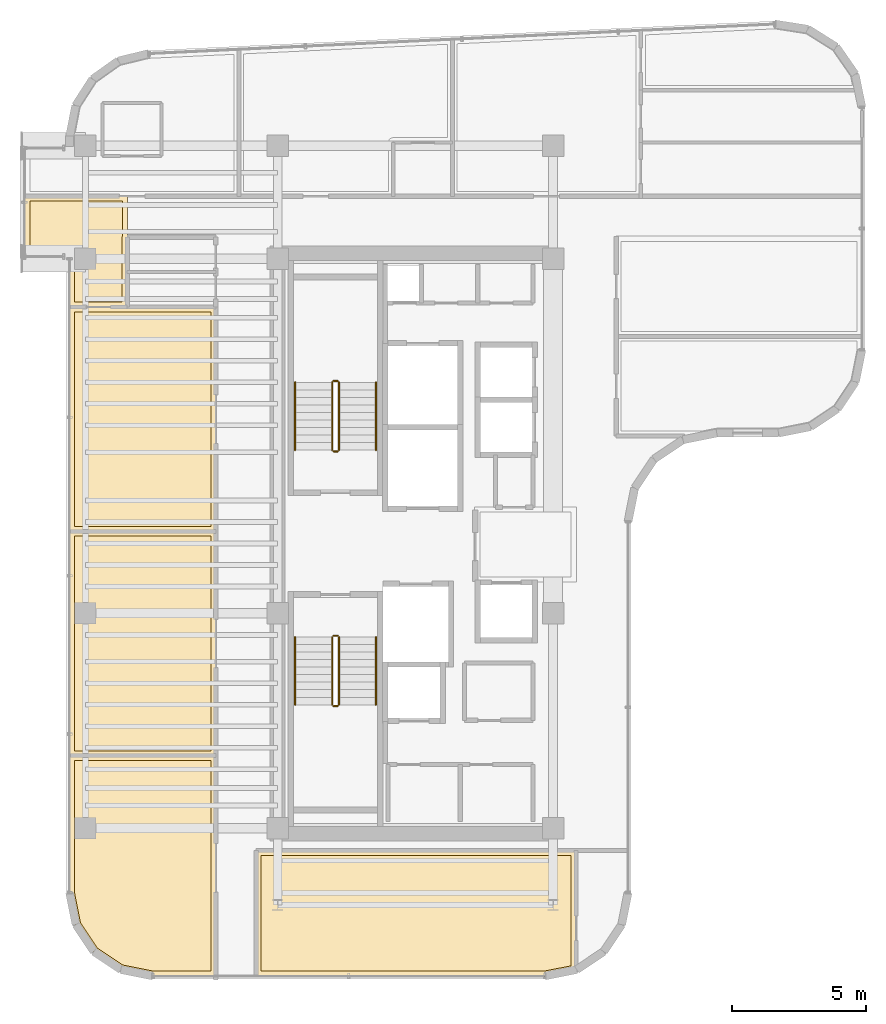
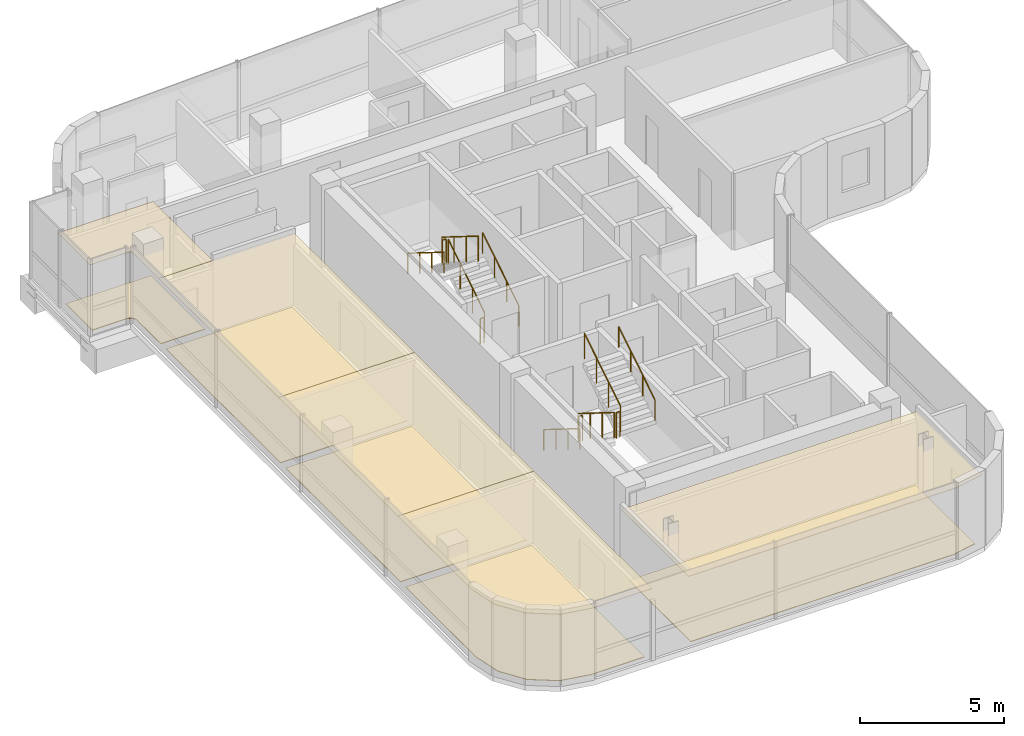
# One storey, part 20 of 21: 12 railings, 10 coverings.
"""IFC4 building model written with IfcOpenShell, lengths in metres."""

from ifc_helpers import new_model, si_unit, direction, frame, origin, origin_2d, place, context, subcontext, project, spatial, polyline, circle, outline, extrude, material, layer, layer_set, type_object, element, save


model = new_model("IFC4")

# Units and contexts
model_context = context("Model", 3, precision=1e-05, world=origin(), true_north=direction((0.0, 1.0)))
body_context = subcontext(model_context, "Body", "Model", "MODEL_VIEW")
ifc_project = project(units=[si_unit("LENGTHUNIT", "METRE"), si_unit("AREAUNIT", "SQUARE_METRE"), si_unit("VOLUMEUNIT", "CUBIC_METRE"), si_unit("PLANEANGLEUNIT", "RADIAN"), si_unit("MASSUNIT", "GRAM", prefix="KILO")], contexts=[model_context])

# Site, building, storey
site_placement = place(None, origin())
site = spatial("IfcSite", under=ifc_project, at=site_placement, CompositionType="ELEMENT")
building_placement = place(site_placement, origin())
building = spatial("IfcBuilding", under=site, at=building_placement, Name="Valdorenza Pilgrim Sanctuary Tower", CompositionType="ELEMENT")
storey_placement = place(building_placement, frame((0.0, 0.0, 251.0)))
storey = spatial("IfcBuildingStorey", under=building, at=storey_placement, Name="L65", CompositionType="ELEMENT", Elevation=251.0)

# Coverings
ifc_material_1 = material(Name="Micro-perforated acoustic mineral ceiling tile", Category="gypsum")
ifc_layer_1 = layer(ifc_material_1, 0.02490234375, Name="Micro-perforated acoustic mineral ceiling tile")
ifc_layer_set_1 = layer_set([ifc_layer_1], Name="Micro-perforated acoustic mineral ceiling tile")
covering_type_1 = type_object("IfcCoveringType", Name="COV-CLG-ACU", PredefinedType="CEILING", material=ifc_layer_set_1)
covering_1_placement = place(storey_placement, frame((0.0, 0.0, 2.9599609375)))
element("IfcCovering", 1, at=covering_1_placement, inside=storey, type_object=covering_type_1, Name="L65 Pilgrim Scholar Office L65-WN Acoustic Ceiling", PredefinedType="CEILING", context=body_context, shape_type="SweptSolid", body=[
    extrude(outline(polyline([(-28.237060546875, 11.39453125), (-28.237060546875, 10.103759765625), (-28.23681640625, 10.10302734375), (-28.23681640625, 10.1015625), (-28.23681640625, 10.10009765625), (-28.23681640625, 10.098388671875), (-28.237060546875, 10.09814453125), (-28.237060546875, 8.800048828125), (-28.237060546875, 8.798583984375), (-28.2373046875, 8.797119140625), (-28.237548828125, 8.795654296875), (-28.238037109375, 8.794189453125), (-28.23876953125, 8.79296875), (-28.239501953125, 8.791748046875), (-28.240478515625, 8.79052734375), (-28.241455078125, 8.789306640625), (-28.242431640625, 8.788330078125), (-28.24365234375, 8.78759765625), (-28.244873046875, 8.786865234375), (-28.246337890625, 8.7861328125), (-28.24755859375, 8.78564453125), (-28.2490234375, 8.785400390625), (-28.25048828125, 8.78515625), (-28.251953125, 8.784912109375), (-30.389892578125, 8.784912109375), (-30.3916015625, 8.78515625), (-30.392822265625, 8.785400390625), (-30.394287109375, 8.78564453125), (-30.395751953125, 8.7861328125), (-30.397216796875, 8.786865234375), (-30.398193359375, 8.78759765625), (-30.3994140625, 8.788330078125), (-30.400634765625, 8.789306640625), (-30.401611328125, 8.79052734375), (-30.402587890625, 8.791748046875), (-30.4033203125, 8.79296875), (-30.40380859375, 8.794189453125), (-30.404296875, 8.795654296875), (-30.40478515625, 8.797119140625), (-30.40478515625, 8.798583984375), (-30.405029296875, 8.800048828125), (-30.405029296875, 10.599609375), (-30.405517578125, 10.609375), (-30.40673828125, 10.618408203125), (-30.4091796875, 10.627685546875), (-30.412109375, 10.63623046875), (-30.416259765625, 10.644775390625), (-30.4208984375, 10.65283203125), (-30.426513671875, 10.660400390625), (-30.432861328125, 10.667236328125), (-30.439697265625, 10.67333984375), (-30.447265625, 10.678955078125), (-30.455078125, 10.683837890625), (-30.463623046875, 10.687744140625), (-30.472412109375, 10.69091796875), (-30.4814453125, 10.693115234375), (-30.49072265625, 10.694580078125), (-30.50048828125, 10.695068359375), (-32.0400390625, 10.695068359375), (-32.04150390625, 10.695068359375), (-32.04296875, 10.6953125), (-32.04443359375, 10.695556640625), (-32.045654296875, 10.696044921875), (-32.047119140625, 10.69677734375), (-32.04833984375, 10.697509765625), (-32.049560546875, 10.698486328125), (-32.050537109375, 10.699462890625), (-32.051513671875, 10.700439453125), (-32.052490234375, 10.70166015625), (-32.05322265625, 10.702880859375), (-32.053955078125, 10.704345703125), (-32.054443359375, 10.70556640625), (-32.0546875, 10.70703125), (-32.054931640625, 10.70849609375), (-32.054931640625, 10.7099609375), (-32.054931640625, 12.919921875), (-32.054931640625, 12.92138671875), (-32.0546875, 12.9228515625), (-32.054443359375, 12.92431640625), (-32.053955078125, 12.92578125), (-32.05322265625, 12.927001953125), (-32.052490234375, 12.92822265625), (-32.051513671875, 12.929443359375), (-32.050537109375, 12.9306640625), (-32.049560546875, 12.931640625), (-32.04833984375, 12.9326171875), (-32.047119140625, 12.93310546875), (-32.045654296875, 12.933837890625), (-32.04443359375, 12.934326171875), (-32.04296875, 12.934814453125), (-32.04150390625, 12.934814453125), (-32.0400390625, 12.93505859375), (-28.25, 12.93505859375), (-28.24853515625, 12.934814453125), (-28.2470703125, 12.934814453125), (-28.24560546875, 12.934326171875), (-28.244384765625, 12.933837890625), (-28.242919921875, 12.93310546875), (-28.24169921875, 12.9326171875), (-28.240478515625, 12.931640625), (-28.239501953125, 12.9306640625), (-28.23828125, 12.929443359375), (-28.237548828125, 12.92822265625), (-28.23681640625, 12.927001953125), (-28.236083984375, 12.92578125), (-28.235595703125, 12.92431640625), (-28.2353515625, 12.9228515625), (-28.235107421875, 12.92138671875), (-28.235107421875, 12.919921875), (-28.235107421875, 11.402099609375), (-28.235107421875, 11.400390625), (-28.2353515625, 11.39892578125), (-28.235595703125, 11.3974609375), (-28.236083984375, 11.39599609375), (-28.23681640625, 11.394775390625), (-28.237060546875, 11.39453125)])), origin(), (0.0, 0.0, 1.0), 0.025146484375),
])
covering_2_placement = place(storey_placement, frame((0.0, 0.0, 2.9599609375)))
element("IfcCovering", 2, at=covering_2_placement, inside=storey, type_object=covering_type_1, Name="L65 Theological Seminar Classroom L65-W1 Acoustic Ceiling", PredefinedType="CEILING", context=body_context, shape_type="SweptSolid", body=[
    extrude(outline(polyline([(-24.93505859375, -16.090087890625), (-24.93505859375, -16.091552734375), (-24.935302734375, -16.093017578125), (-24.935546875, -16.094482421875), (-24.93603515625, -16.095703125), (-24.936767578125, -16.09716796875), (-24.9375, -16.098388671875), (-24.9384765625, -16.099609375), (-24.939453125, -16.1005859375), (-24.9404296875, -16.1015625), (-24.941650390625, -16.1025390625), (-24.94287109375, -16.103271484375), (-24.9443359375, -16.10400390625), (-24.945556640625, -16.1044921875), (-24.947021484375, -16.104736328125), (-24.948486328125, -16.10498046875), (-24.949951171875, -16.10498046875), (-27.289306640625, -16.10498046875), (-27.29052734375, -16.10498046875), (-27.2919921875, -16.104736328125), (-28.484619140625, -15.867431640625), (-28.486083984375, -15.8671875), (-28.4873046875, -15.86669921875), (-28.48876953125, -15.865966796875), (-28.489990234375, -15.865234375), (-29.49169921875, -15.19580078125), (-29.492919921875, -15.195068359375), (-29.493896484375, -15.194091796875), (-29.4951171875, -15.19287109375), (-29.495849609375, -15.191650390625), (-30.165283203125, -14.18994140625), (-30.166015625, -14.188720703125), (-30.16650390625, -14.1875), (-30.1669921875, -14.18603515625), (-30.16748046875, -14.1845703125), (-30.40478515625, -12.9921875), (-30.40478515625, -12.990478515625), (-30.405029296875, -12.9892578125), (-30.405029296875, -7.893310546875), (-30.40478515625, -7.891845703125), (-30.40478515625, -7.890380859375), (-30.404296875, -7.888916015625), (-30.40380859375, -7.8876953125), (-30.4033203125, -7.88623046875), (-30.402587890625, -7.885009765625), (-30.401611328125, -7.8837890625), (-30.400634765625, -7.8828125), (-30.3994140625, -7.881591796875), (-30.398193359375, -7.880859375), (-30.397216796875, -7.880126953125), (-30.395751953125, -7.87939453125), (-30.394287109375, -7.87890625), (-30.392822265625, -7.878662109375), (-30.3916015625, -7.87841796875), (-30.389892578125, -7.87841796875), (-24.949951171875, -7.87841796875), (-24.948486328125, -7.87841796875), (-24.947021484375, -7.878662109375), (-24.945556640625, -7.87890625), (-24.9443359375, -7.87939453125), (-24.94287109375, -7.880126953125), (-24.941650390625, -7.880859375), (-24.9404296875, -7.881591796875), (-24.939453125, -7.8828125), (-24.9384765625, -7.8837890625), (-24.9375, -7.885009765625), (-24.936767578125, -7.88623046875), (-24.93603515625, -7.8876953125), (-24.935546875, -7.888916015625), (-24.935302734375, -7.890380859375), (-24.93505859375, -7.891845703125), (-24.93505859375, -7.893310546875), (-24.93505859375, -16.090087890625)])), origin(), (0.0, 0.0, 1.0), 0.025146484375),
])
covering_3_placement = place(storey_placement, frame((0.0, 0.0, 2.9599609375)))
element("IfcCovering", 3, at=covering_3_placement, inside=storey, type_object=covering_type_1, Name="L65 Theological Seminar Classroom L65-W2 Acoustic Ceiling", PredefinedType="CEILING", context=body_context, shape_type="SweptSolid", body=[
    extrude(outline(polyline([(-24.93505859375, -7.891357421875), (-24.93505859375, -7.892822265625), (-24.935302734375, -7.894287109375), (-24.935546875, -7.895751953125), (-24.93603515625, -7.89697265625), (-24.936767578125, -7.8984375), (-24.9375, -7.899658203125), (-24.9384765625, -7.90087890625), (-24.939453125, -7.90185546875), (-24.9404296875, -7.90283203125), (-24.941650390625, -7.90380859375), (-24.94287109375, -7.904541015625), (-24.9443359375, -7.9052734375), (-24.945556640625, -7.90576171875), (-24.947021484375, -7.906005859375), (-24.948486328125, -7.90625), (-24.949951171875, -7.90625), (-30.389892578125, -7.90625), (-30.3916015625, -7.90625), (-30.392822265625, -7.906005859375), (-30.394287109375, -7.90576171875), (-30.395751953125, -7.9052734375), (-30.397216796875, -7.904541015625), (-30.398193359375, -7.90380859375), (-30.3994140625, -7.90283203125), (-30.400634765625, -7.90185546875), (-30.401611328125, -7.90087890625), (-30.402587890625, -7.899658203125), (-30.4033203125, -7.8984375), (-30.40380859375, -7.89697265625), (-30.404296875, -7.895751953125), (-30.40478515625, -7.894287109375), (-30.40478515625, -7.892822265625), (-30.405029296875, -7.891357421875), (-30.405029296875, 0.453369140625), (-30.40478515625, 0.454833984375), (-30.40478515625, 0.456298828125), (-30.404296875, 0.457763671875), (-30.40380859375, 0.458984375), (-30.4033203125, 0.46044921875), (-30.402587890625, 0.461669921875), (-30.401611328125, 0.462890625), (-30.400634765625, 0.4638671875), (-30.3994140625, 0.46484375), (-30.398193359375, 0.4658203125), (-30.397216796875, 0.466552734375), (-30.395751953125, 0.46728515625), (-30.394287109375, 0.4677734375), (-30.392822265625, 0.468017578125), (-30.3916015625, 0.46826171875), (-30.389892578125, 0.46826171875), (-24.949951171875, 0.46826171875), (-24.948486328125, 0.46826171875), (-24.947021484375, 0.468017578125), (-24.945556640625, 0.4677734375), (-24.9443359375, 0.46728515625), (-24.94287109375, 0.466552734375), (-24.941650390625, 0.4658203125), (-24.9404296875, 0.46484375), (-24.939453125, 0.4638671875), (-24.9384765625, 0.462890625), (-24.9375, 0.461669921875), (-24.936767578125, 0.46044921875), (-24.93603515625, 0.458984375), (-24.935546875, 0.457763671875), (-24.935302734375, 0.456298828125), (-24.93505859375, 0.454833984375), (-24.93505859375, 0.453369140625), (-24.93505859375, -7.891357421875)])), origin(), (0.0, 0.0, 1.0), 0.025146484375),
])
covering_4_placement = place(storey_placement, frame((0.0, 0.0, 2.9599609375)))
element("IfcCovering", 4, at=covering_4_placement, inside=storey, type_object=covering_type_1, Name="L65 Theological Seminar Classroom L65-W3 Acoustic Ceiling", PredefinedType="CEILING", context=body_context, shape_type="SweptSolid", body=[
    extrude(outline(polyline([(-28.253662109375, 8.81298828125), (-28.253173828125, 8.81298828125), (-28.25146484375, 8.813232421875), (-28.25, 8.813232421875), (-28.24853515625, 8.81298828125), (-28.248291015625, 8.81298828125), (-24.949951171875, 8.81298828125), (-24.948486328125, 8.81298828125), (-24.947021484375, 8.812744140625), (-24.945556640625, 8.8125), (-24.9443359375, 8.81201171875), (-24.94287109375, 8.811279296875), (-24.941650390625, 8.810546875), (-24.9404296875, 8.8095703125), (-24.939453125, 8.80859375), (-24.9384765625, 8.8076171875), (-24.9375, 8.806396484375), (-24.936767578125, 8.80517578125), (-24.93603515625, 8.8037109375), (-24.935546875, 8.802490234375), (-24.935302734375, 8.80078125), (-24.93505859375, 8.799560546875), (-24.93505859375, 8.798095703125), (-24.93505859375, 0.455322265625), (-24.93505859375, 0.453857421875), (-24.935302734375, 0.452392578125), (-24.935546875, 0.450927734375), (-24.93603515625, 0.44970703125), (-24.936767578125, 0.4482421875), (-24.9375, 0.447021484375), (-24.9384765625, 0.44580078125), (-24.939453125, 0.444580078125), (-24.9404296875, 0.443603515625), (-24.941650390625, 0.44287109375), (-24.94287109375, 0.442138671875), (-24.9443359375, 0.44140625), (-24.945556640625, 0.44091796875), (-24.947021484375, 0.440673828125), (-24.948486328125, 0.4404296875), (-24.949951171875, 0.440185546875), (-30.389892578125, 0.440185546875), (-30.3916015625, 0.4404296875), (-30.392822265625, 0.440673828125), (-30.394287109375, 0.44091796875), (-30.395751953125, 0.44140625), (-30.397216796875, 0.442138671875), (-30.398193359375, 0.44287109375), (-30.3994140625, 0.443603515625), (-30.400634765625, 0.444580078125), (-30.401611328125, 0.44580078125), (-30.402587890625, 0.447021484375), (-30.4033203125, 0.4482421875), (-30.40380859375, 0.44970703125), (-30.404296875, 0.450927734375), (-30.40478515625, 0.452392578125), (-30.40478515625, 0.453857421875), (-30.405029296875, 0.455322265625), (-30.405029296875, 8.798095703125), (-30.40478515625, 8.799560546875), (-30.40478515625, 8.80078125), (-30.404296875, 8.802490234375), (-30.40380859375, 8.8037109375), (-30.4033203125, 8.80517578125), (-30.402587890625, 8.806396484375), (-30.401611328125, 8.8076171875), (-30.400634765625, 8.80859375), (-30.3994140625, 8.8095703125), (-30.398193359375, 8.810546875), (-30.397216796875, 8.811279296875), (-30.395751953125, 8.81201171875), (-30.394287109375, 8.8125), (-30.392822265625, 8.812744140625), (-30.3916015625, 8.81298828125), (-30.389892578125, 8.81298828125), (-28.253662109375, 8.81298828125)])), origin(), (0.0, 0.0, 1.0), 0.025146484375),
])
covering_5_placement = place(storey_placement, frame((0.0, 0.0, 2.9599609375)))
element("IfcCovering", 5, at=covering_5_placement, inside=storey, type_object=covering_type_1, Name="L65 South Contemplation Lounge L65 Acoustic Ceiling", PredefinedType="CEILING", context=body_context, shape_type="SweptSolid", body=[
    extrude(outline(polyline([(-11.550048828125, -11.405029296875), (-11.548583984375, -11.405029296875), (-11.547119140625, -11.4052734375), (-11.545654296875, -11.405517578125), (-11.544189453125, -11.406005859375), (-11.54296875, -11.40673828125), (-11.541748046875, -11.407470703125), (-11.54052734375, -11.408447265625), (-11.539306640625, -11.409423828125), (-11.538330078125, -11.410400390625), (-11.53759765625, -11.41162109375), (-11.536865234375, -11.412841796875), (-11.5361328125, -11.414306640625), (-11.53564453125, -11.41552734375), (-11.535400390625, -11.4169921875), (-11.53515625, -11.41845703125), (-11.534912109375, -11.419921875), (-11.534912109375, -15.859130859375), (-11.53515625, -15.860595703125), (-11.535400390625, -15.862060546875), (-11.53564453125, -15.86328125), (-11.5361328125, -15.86474609375), (-11.536865234375, -15.8662109375), (-11.53759765625, -15.867431640625), (-11.538330078125, -15.86865234375), (-11.539306640625, -15.86962890625), (-11.54052734375, -15.87060546875), (-11.541748046875, -15.87158203125), (-11.54296875, -15.872314453125), (-11.544189453125, -15.872802734375), (-11.545654296875, -15.873291015625), (-11.547119140625, -15.873779296875), (-12.7080078125, -16.104736328125), (-12.70947265625, -16.10498046875), (-12.710693359375, -16.10498046875), (-23.449951171875, -16.10498046875), (-23.451416015625, -16.10498046875), (-23.452880859375, -16.104736328125), (-23.454345703125, -16.1044921875), (-23.455810546875, -16.10400390625), (-23.45703125, -16.103271484375), (-23.458251953125, -16.1025390625), (-23.45947265625, -16.1015625), (-23.460693359375, -16.1005859375), (-23.461669921875, -16.099609375), (-23.46240234375, -16.098388671875), (-23.463134765625, -16.09716796875), (-23.4638671875, -16.095703125), (-23.46435546875, -16.094482421875), (-23.464599609375, -16.093017578125), (-23.46484375, -16.091552734375), (-23.465087890625, -16.090087890625), (-23.465087890625, -11.419921875), (-23.46484375, -11.41845703125), (-23.464599609375, -11.4169921875), (-23.46435546875, -11.41552734375), (-23.4638671875, -11.414306640625), (-23.463134765625, -11.412841796875), (-23.46240234375, -11.41162109375), (-23.461669921875, -11.410400390625), (-23.460693359375, -11.409423828125), (-23.45947265625, -11.408447265625), (-23.458251953125, -11.407470703125), (-23.45703125, -11.40673828125), (-23.455810546875, -11.406005859375), (-23.454345703125, -11.405517578125), (-23.452880859375, -11.4052734375), (-23.451416015625, -11.405029296875), (-23.449951171875, -11.405029296875), (-11.550048828125, -11.405029296875)])), origin(), (0.0, 0.0, 1.0), 0.025146484375),
])
ifc_material_2 = material(Name="Engineered European oak timber flooring", Category="wood")
ifc_layer_2 = layer(ifc_material_2, 0.02197265625, Name="Engineered European oak timber flooring")
ifc_layer_set_2 = layer_set([ifc_layer_2], Name="Engineered European oak timber flooring")
covering_type_2 = type_object("IfcCoveringType", Name="COV-FLR-OAK", PredefinedType="FLOORING", material=ifc_layer_set_2)
covering_6_placement = place(storey_placement, origin())
element("IfcCovering", 6, at=covering_6_placement, inside=storey, type_object=covering_type_2, Name="L65 Theological Seminar Classroom L65-W1 Flooring", PredefinedType="FLOORING", context=body_context, shape_type="SweptSolid", body=[
    extrude(outline(polyline([(-25.1298828125, -15.909912109375), (-27.271484375, -15.909912109375), (-28.411376953125, -15.68310546875), (-29.353515625, -15.0537109375), (-29.983154296875, -14.111328125), (-30.2099609375, -12.971435546875), (-30.2099609375, -8.0732421875), (-25.1298828125, -8.0732421875), (-25.1298828125, -15.909912109375)])), origin(), (0.0, 0.0, 1.0), 0.02490234375),
])
covering_7_placement = place(storey_placement, origin())
element("IfcCovering", 7, at=covering_7_placement, inside=storey, type_object=covering_type_2, Name="L65 Theological Seminar Classroom L65-W2 Flooring", PredefinedType="FLOORING", context=body_context, shape_type="SweptSolid", body=[
    extrude(outline(polyline([(-25.1298828125, -7.711181640625), (-30.2099609375, -7.711181640625), (-30.2099609375, 0.273193359375), (-25.1298828125, 0.273193359375), (-25.1298828125, -7.711181640625)])), origin(), (0.0, 0.0, 1.0), 0.02490234375),
])
covering_8_placement = place(storey_placement, origin())
element("IfcCovering", 8, at=covering_8_placement, inside=storey, type_object=covering_type_2, Name="L65 Theological Seminar Classroom L65-W3 Flooring", PredefinedType="FLOORING", context=body_context, shape_type="SweptSolid", body=[
    extrude(outline(polyline([(-28.250244140625, 8.617919921875), (-28.25, 8.617919921875), (-25.1298828125, 8.617919921875), (-25.1298828125, 0.63525390625), (-30.2099609375, 0.63525390625), (-30.2099609375, 8.617919921875), (-28.251953125, 8.617919921875), (-28.2509765625, 8.617919921875), (-28.250244140625, 8.617919921875)])), origin(), (0.0, 0.0, 1.0), 0.02490234375),
])
ifc_material_3 = material(Name="Honed travertine stone flooring", Category="masonry")
ifc_layer_3 = layer(ifc_material_3, 0.030029296875, Name="Honed travertine stone flooring")
ifc_layer_set_3 = layer_set([ifc_layer_3], Name="Honed travertine stone flooring")
covering_type_3 = type_object("IfcCoveringType", Name="COV-FLR-TRV", PredefinedType="FLOORING", material=ifc_layer_set_3)
covering_9_placement = place(storey_placement, origin())
element("IfcCovering", 9, at=covering_9_placement, inside=storey, type_object=covering_type_3, Name="L65 Pilgrim Scholar Office L65-WN Flooring", PredefinedType="FLOORING", context=body_context, shape_type="SweptSolid", body=[
    extrude(outline(polyline([(-28.431884765625, 10.100341796875), (-28.431884765625, 10.10009765625), (-28.431884765625, 8.97998046875), (-30.2099609375, 8.97998046875), (-30.2099609375, 10.60009765625), (-30.210205078125, 10.60888671875), (-30.210693359375, 10.61962890625), (-30.21240234375, 10.63720703125), (-30.214111328125, 10.64794921875), (-30.217529296875, 10.665283203125), (-30.22021484375, 10.67578125), (-30.225341796875, 10.692626953125), (-30.22900390625, 10.70263671875), (-30.235595703125, 10.718994140625), (-30.240234375, 10.728759765625), (-30.24853515625, 10.744384765625), (-30.254150390625, 10.753662109375), (-30.263916015625, 10.768310546875), (-30.2705078125, 10.777099609375), (-30.281494140625, 10.790771484375), (-30.288818359375, 10.798583984375), (-30.30126953125, 10.811279296875), (-30.309326171875, 10.818359375), (-30.322998046875, 10.82958984375), (-30.331787109375, 10.8359375), (-30.34619140625, 10.845947265625), (-30.355712890625, 10.851318359375), (-30.37109375, 10.859619140625), (-30.380859375, 10.8642578125), (-30.397216796875, 10.87109375), (-30.407470703125, 10.874755859375), (-30.42431640625, 10.8798828125), (-30.434814453125, 10.882568359375), (-30.4521484375, 10.885986328125), (-30.462890625, 10.887451171875), (-30.48046875, 10.889404296875), (-30.4912109375, 10.889892578125), (-30.5, 10.889892578125), (-31.860107421875, 10.889892578125), (-31.860107421875, 12.739990234375), (-28.429931640625, 12.739990234375), (-28.429931640625, 11.427001953125), (-28.429931640625, 11.4267578125), (-28.429931640625, 11.426513671875), (-28.431884765625, 11.408935546875), (-28.431884765625, 11.40869140625), (-28.431884765625, 11.39990234375), (-28.431884765625, 10.10205078125), (-28.431884765625, 10.10107421875), (-28.431884765625, 10.100341796875)])), origin(), (0.0, 0.0, 1.0), 0.02490234375),
])
covering_10_placement = place(storey_placement, origin())
element("IfcCovering", 10, at=covering_10_placement, inside=storey, type_object=covering_type_3, Name="L65 South Contemplation Lounge L65 Flooring", PredefinedType="FLOORING", context=body_context, shape_type="SweptSolid", body=[
    extrude(outline(polyline([(-11.72998046875, -11.60009765625), (-11.72998046875, -15.71142578125), (-12.728515625, -15.909912109375), (-23.27001953125, -15.909912109375), (-23.27001953125, -11.60009765625), (-11.72998046875, -11.60009765625)])), origin(), (0.0, 0.0, 1.0), 0.02490234375),
])

# Railings
ifc_material_4 = material(Name="Stainless steel Grade 316", Category="steel")
railing_type_1 = type_object("IfcRailingType", Name="RLG-GRD-1120", PredefinedType="GUARDRAIL", material=ifc_material_4)
railing_1_placement = place(storey_placement, frame((-20.3701171875, 3.47998046875, 0.175048828125)))
element("IfcRailing", 11, at=railing_1_placement, inside=storey, type_object=railing_type_1, Name="L65 ST-A1 stair guard 1", PredefinedType="GUARDRAIL", context=body_context, shape_type="SweptSolid", body=[
    extrude(circle(Radius=0.02392578125, at=origin_2d()), frame((0.0, 0.0, 1.076171875), z_axis=(0.0, 0.848007534815, 0.529984170421), x_axis=(-1.0, 0.0, 0.0)), (0.0, 0.0, 1.0), 2.9716796875),
    extrude(circle(Radius=0.02099609375, at=origin_2d()), origin(), (0.0, 0.0, 1.0), 1.052001953125),
    extrude(circle(Radius=0.02099609375, at=origin_2d()), frame((0.0, 0.840087890625, 0.52490234375)), (0.0, 0.0, 1.0), 1.052001953125),
    extrude(circle(Radius=0.02099609375, at=origin_2d()), frame((0.0, 1.679931640625, 1.050048828125)), (0.0, 0.0, 1.0), 1.052001953125),
    extrude(circle(Radius=0.02099609375, at=origin_2d()), frame((0.0, 2.52001953125, 1.574951171875)), (0.0, 0.0, 1.0), 1.052001953125),
])
railing_2_placement = place(storey_placement, frame((-20.419921875, 6.050048828125, 1.75)))
element("IfcRailing", 12, at=railing_2_placement, inside=storey, type_object=railing_type_1, Name="L65 ST-A1 stair guard 2", PredefinedType="GUARDRAIL", context=body_context, shape_type="SweptSolid", body=[
    extrude(circle(Radius=0.02392578125, at=origin_2d()), frame((0.0, 0.0, 1.076171875), z_axis=(-1.0, 0.0, 0.0), x_axis=(0.0, -1.0, 0.0)), (0.0, 0.0, 1.0), 0.150146484375),
    extrude(circle(Radius=0.02099609375, at=origin_2d()), origin(), (0.0, 0.0, 1.0), 1.052001953125),
    extrude(circle(Radius=0.02099609375, at=origin_2d()), frame((-0.150146484375, 0.0, 0.0)), (0.0, 0.0, 1.0), 1.052001953125),
])
railing_3_placement = place(storey_placement, frame((-20.6201171875, 6.0, 1.925048828125)))
element("IfcRailing", 13, at=railing_3_placement, inside=storey, type_object=railing_type_1, Name="L65 ST-A1 stair guard 3", PredefinedType="GUARDRAIL", context=body_context, shape_type="SweptSolid", body=[
    extrude(circle(Radius=0.02392578125, at=origin_2d()), frame((0.0, 0.0, 1.076171875), z_axis=(0.0, -0.848007534815, 0.529984170421), x_axis=(1.0, 0.0, 0.0)), (0.0, 0.0, 1.0), 2.9716796875),
    extrude(circle(Radius=0.02099609375, at=origin_2d()), origin(), (0.0, 0.0, 1.0), 1.052001953125),
    extrude(circle(Radius=0.02099609375, at=origin_2d()), frame((0.0, -0.840087890625, 0.52490234375)), (0.0, 0.0, 1.0), 1.052001953125),
    extrude(circle(Radius=0.02099609375, at=origin_2d()), frame((0.0, -1.679931640625, 1.050048828125)), (0.0, 0.0, 1.0), 1.052001953125),
    extrude(circle(Radius=0.02099609375, at=origin_2d()), frame((0.0, -2.52001953125, 1.574951171875)), (0.0, 0.0, 1.0), 1.052001953125),
])
railing_4_placement = place(storey_placement, frame((-20.419921875, 3.429931640625, 0.0)))
element("IfcRailing", 14, at=railing_4_placement, inside=storey, type_object=railing_type_1, Name="L65 ST-A1 stair guard 4", PredefinedType="GUARDRAIL", context=body_context, shape_type="SweptSolid", body=[
    extrude(circle(Radius=0.02392578125, at=origin_2d()), frame((0.0, 0.0, 1.076171875), z_axis=(-1.0, 0.0, 0.0), x_axis=(0.0, -1.0, 0.0)), (0.0, 0.0, 1.0), 0.150146484375),
    extrude(circle(Radius=0.02099609375, at=origin_2d()), origin(), (0.0, 0.0, 1.0), 1.052001953125),
    extrude(circle(Radius=0.02099609375, at=origin_2d()), frame((-0.150146484375, 0.0, 0.0)), (0.0, 0.0, 1.0), 1.052001953125),
])
railing_5_placement = place(storey_placement, frame((-20.6201171875, -3.47998046875, 0.175048828125)))
element("IfcRailing", 15, at=railing_5_placement, inside=storey, type_object=railing_type_1, Name="L65 ST-A2 stair guard 1", PredefinedType="GUARDRAIL", context=body_context, shape_type="SweptSolid", body=[
    extrude(circle(Radius=0.02392578125, at=origin_2d()), frame((0.0, 0.0, 1.076171875), z_axis=(0.0, -0.848007534815, 0.529984170421), x_axis=(1.0, 0.0, 0.0)), (0.0, 0.0, 1.0), 2.9716796875),
    extrude(circle(Radius=0.02099609375, at=origin_2d()), origin(), (0.0, 0.0, 1.0), 1.052001953125),
    extrude(circle(Radius=0.02099609375, at=origin_2d()), frame((0.0, -0.840087890625, 0.52490234375)), (0.0, 0.0, 1.0), 1.052001953125),
    extrude(circle(Radius=0.02099609375, at=origin_2d()), frame((0.0, -1.679931640625, 1.050048828125)), (0.0, 0.0, 1.0), 1.052001953125),
    extrude(circle(Radius=0.02099609375, at=origin_2d()), frame((0.0, -2.52001953125, 1.574951171875)), (0.0, 0.0, 1.0), 1.052001953125),
])
railing_6_placement = place(storey_placement, frame((-20.570068359375, -6.050048828125, 1.75)))
element("IfcRailing", 16, at=railing_6_placement, inside=storey, type_object=railing_type_1, Name="L65 ST-A2 stair guard 2", PredefinedType="GUARDRAIL", context=body_context, shape_type="SweptSolid", body=[
    extrude(circle(Radius=0.02392578125, at=origin_2d()), frame((0.0, 0.0, 1.076171875), z_axis=(1.0, 0.0, 0.0), x_axis=(0.0, 1.0, 0.0)), (0.0, 0.0, 1.0), 0.150146484375),
    extrude(circle(Radius=0.02099609375, at=origin_2d()), origin(), (0.0, 0.0, 1.0), 1.052001953125),
    extrude(circle(Radius=0.02099609375, at=origin_2d()), frame((0.150146484375, 0.0, 0.0)), (0.0, 0.0, 1.0), 1.052001953125),
])
railing_7_placement = place(storey_placement, frame((-20.3701171875, -6.0, 1.925048828125)))
element("IfcRailing", 17, at=railing_7_placement, inside=storey, type_object=railing_type_1, Name="L65 ST-A2 stair guard 3", PredefinedType="GUARDRAIL", context=body_context, shape_type="SweptSolid", body=[
    extrude(circle(Radius=0.02392578125, at=origin_2d()), frame((0.0, 0.0, 1.076171875), z_axis=(0.0, 0.848007534815, 0.529984170421), x_axis=(-1.0, 0.0, 0.0)), (0.0, 0.0, 1.0), 2.9716796875),
    extrude(circle(Radius=0.02099609375, at=origin_2d()), origin(), (0.0, 0.0, 1.0), 1.052001953125),
    extrude(circle(Radius=0.02099609375, at=origin_2d()), frame((0.0, 0.840087890625, 0.52490234375)), (0.0, 0.0, 1.0), 1.052001953125),
    extrude(circle(Radius=0.02099609375, at=origin_2d()), frame((0.0, 1.679931640625, 1.050048828125)), (0.0, 0.0, 1.0), 1.052001953125),
    extrude(circle(Radius=0.02099609375, at=origin_2d()), frame((0.0, 2.52001953125, 1.574951171875)), (0.0, 0.0, 1.0), 1.052001953125),
])
railing_8_placement = place(storey_placement, frame((-20.570068359375, -3.429931640625, 0.0)))
element("IfcRailing", 18, at=railing_8_placement, inside=storey, type_object=railing_type_1, Name="L65 ST-A2 stair guard 4", PredefinedType="GUARDRAIL", context=body_context, shape_type="SweptSolid", body=[
    extrude(circle(Radius=0.02392578125, at=origin_2d()), frame((0.0, 0.0, 1.076171875), z_axis=(1.0, 0.0, 0.0), x_axis=(0.0, 1.0, 0.0)), (0.0, 0.0, 1.0), 0.150146484375),
    extrude(circle(Radius=0.02099609375, at=origin_2d()), origin(), (0.0, 0.0, 1.0), 1.052001953125),
    extrude(circle(Radius=0.02099609375, at=origin_2d()), frame((0.150146484375, 0.0, 0.0)), (0.0, 0.0, 1.0), 1.052001953125),
])
ifc_material_5 = material(Name="Brushed stainless steel Grade 316", Category="steel")
railing_type_2 = type_object("IfcRailingType", Name="RLG-HND-920", PredefinedType="HANDRAIL", material=ifc_material_5)
railing_9_placement = place(storey_placement, frame((-18.989990234375, 3.47998046875, 0.175048828125)))
element("IfcRailing", 19, at=railing_9_placement, inside=storey, type_object=railing_type_2, Name="L65 ST-A1 stair handrail 1", PredefinedType="HANDRAIL", context=body_context, shape_type="SweptSolid", body=[
    extrude(circle(Radius=0.02392578125, at=origin_2d()), frame((0.0, 0.0, 0.8759765625), z_axis=(0.0, 0.848007534815, 0.529984170421), x_axis=(-1.0, 0.0, 0.0)), (0.0, 0.0, 1.0), 2.9716796875),
    extrude(circle(Radius=0.02099609375, at=origin_2d()), origin(), (0.0, 0.0, 1.0), 0.851806640625),
    extrude(circle(Radius=0.02099609375, at=origin_2d()), frame((0.0, 0.840087890625, 0.52490234375)), (0.0, 0.0, 1.0), 0.851806640625),
    extrude(circle(Radius=0.02099609375, at=origin_2d()), frame((0.0, 1.679931640625, 1.050048828125)), (0.0, 0.0, 1.0), 0.851806640625),
    extrude(circle(Radius=0.02099609375, at=origin_2d()), frame((0.0, 2.52001953125, 1.574951171875)), (0.0, 0.0, 1.0), 0.851806640625),
])
for number, where, name in (
    (20, (-22.0, 6.0, 1.925048828125), "L65 ST-A1 stair handrail 2"),
    (21, (-22.0, -3.47998046875, 0.175048828125), "L65 ST-A2 stair handrail 1"),
):
    element("IfcRailing", number, at=place(storey_placement, frame(where)), inside=storey, type_object=railing_type_2, Name=name, PredefinedType="HANDRAIL", context=body_context, shape_type="SweptSolid", body=[
        extrude(circle(Radius=0.02392578125, at=origin_2d()), frame((0.0, 0.0, 0.8759765625), z_axis=(0.0, -0.848007534815, 0.529984170421), x_axis=(1.0, 0.0, 0.0)), (0.0, 0.0, 1.0), 2.9716796875),
        extrude(circle(Radius=0.02099609375, at=origin_2d()), origin(), (0.0, 0.0, 1.0), 0.851806640625),
        extrude(circle(Radius=0.02099609375, at=origin_2d()), frame((0.0, -0.840087890625, 0.52490234375)), (0.0, 0.0, 1.0), 0.851806640625),
        extrude(circle(Radius=0.02099609375, at=origin_2d()), frame((0.0, -1.679931640625, 1.050048828125)), (0.0, 0.0, 1.0), 0.851806640625),
        extrude(circle(Radius=0.02099609375, at=origin_2d()), frame((0.0, -2.52001953125, 1.574951171875)), (0.0, 0.0, 1.0), 0.851806640625),
    ])
railing_10_placement = place(storey_placement, frame((-18.989990234375, -6.0, 1.925048828125)))
element("IfcRailing", 22, at=railing_10_placement, inside=storey, type_object=railing_type_2, Name="L65 ST-A2 stair handrail 2", PredefinedType="HANDRAIL", context=body_context, shape_type="SweptSolid", body=[
    extrude(circle(Radius=0.02392578125, at=origin_2d()), frame((0.0, 0.0, 0.8759765625), z_axis=(0.0, 0.848007534815, 0.529984170421), x_axis=(-1.0, 0.0, 0.0)), (0.0, 0.0, 1.0), 2.9716796875),
    extrude(circle(Radius=0.02099609375, at=origin_2d()), origin(), (0.0, 0.0, 1.0), 0.851806640625),
    extrude(circle(Radius=0.02099609375, at=origin_2d()), frame((0.0, 0.840087890625, 0.52490234375)), (0.0, 0.0, 1.0), 0.851806640625),
    extrude(circle(Radius=0.02099609375, at=origin_2d()), frame((0.0, 1.679931640625, 1.050048828125)), (0.0, 0.0, 1.0), 0.851806640625),
    extrude(circle(Radius=0.02099609375, at=origin_2d()), frame((0.0, 2.52001953125, 1.574951171875)), (0.0, 0.0, 1.0), 0.851806640625),
])

save(model, "model.ifc")
